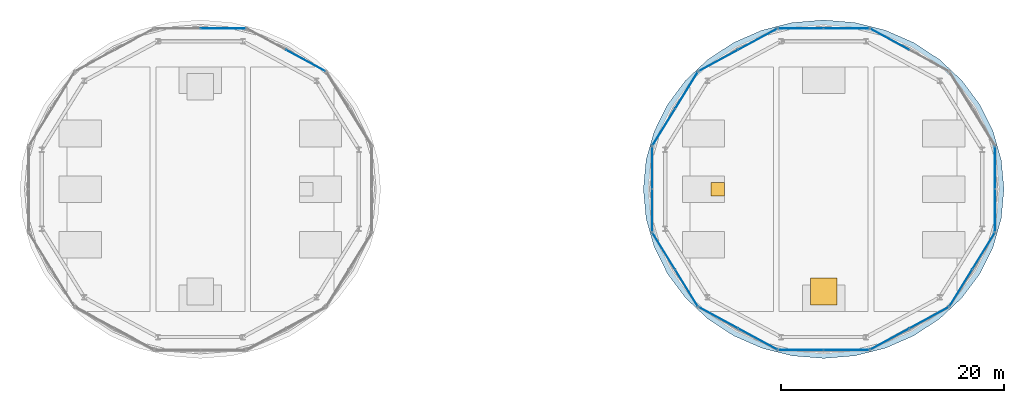
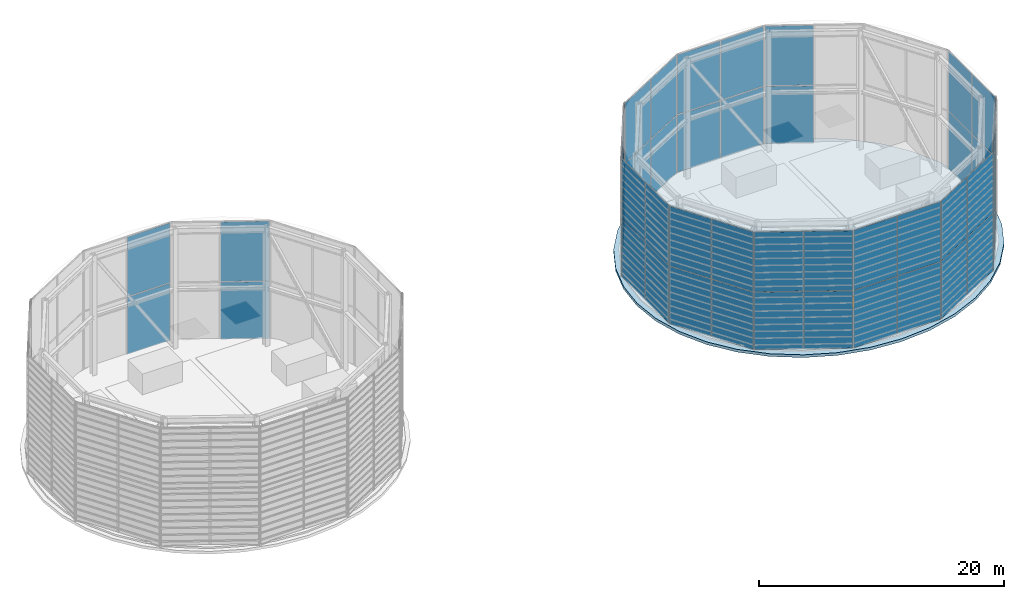
# One storey, part 11 of 17: 46 plates, 2 windows, 1 slab, 2 openings, 13 elements without a shape of their own.
"""IFC4 building model written with IfcOpenShell, lengths in metres."""

from ifc_helpers import new_model, si_unit, direction, frame, origin, origin_2d, place, context, subcontext, project, spatial, polyline, rectangle, outline, extrude, source, transform, mapped, material, layer, layer_set, type_object, type_shapes, element, fill, aggregate, save


model = new_model("IFC4")

# Units and contexts
model_context = context("Model", 3, precision=1e-05, world=origin(), true_north=direction((0.0, 1.0)))
body_context = subcontext(model_context, "Body", "Model", "MODEL_VIEW")
ifc_project = project(units=[si_unit("LENGTHUNIT", "METRE"), si_unit("AREAUNIT", "SQUARE_METRE"), si_unit("VOLUMEUNIT", "CUBIC_METRE"), si_unit("PLANEANGLEUNIT", "RADIAN"), si_unit("MASSUNIT", "GRAM", prefix="KILO")], contexts=[model_context])

# Site, building, storey
site_placement = place(None, origin())
site = spatial("IfcSite", under=ifc_project, at=site_placement, CompositionType="ELEMENT")
building_placement = place(site_placement, origin())
building = spatial("IfcBuilding", under=site, at=building_placement, Name="Norrkilde Senior Care Towers", CompositionType="ELEMENT")
storey_placement = place(building_placement, frame((0.0, 0.0, 249.85009765625)))
storey = spatial("IfcBuildingStorey", under=building, at=storey_placement, Name="RF", CompositionType="ELEMENT", Elevation=249.85009765625)

# Slab, openings, windows
ifc_material_1 = material(Name="Concrete C50/60", Category="concrete")
ifc_layer_1 = layer(ifc_material_1, 0.27490234375)
ifc_layer_set_1 = layer_set([ifc_layer_1], Name="Concrete C50/60")
slab_type = type_object("IfcSlabType", Name="Pavilion Main Roof Slab 275", PredefinedType="ROOF", material=ifc_layer_set_1)
slab_placement = place(storey_placement, frame((0.0, 0.0, -0.275146484375)))
slab = element("IfcSlab", 1, at=slab_placement, inside=storey, type_object=slab_type, Name="RF Drum E Main Roof Slab", PredefinedType="ROOF", context=body_context, shape_type="SweptSolid", body=[
    extrude(outline(polyline([(44.199951171875, 0.0), (43.953857421875, 2.639404296875), (43.222900390625, 5.19873046875), (42.029541015625, 7.60009765625), (40.409912109375, 9.770263671875), (38.4130859375, 11.643798828125), (36.10009765625, 13.16357421875), (33.540771484375, 14.283447265625), (30.81298828125, 14.968994140625), (28.0, 15.199951171875), (25.18701171875, 14.968994140625), (22.459228515625, 14.283447265625), (19.89990234375, 13.16357421875), (17.5869140625, 11.643798828125), (15.590087890625, 9.770263671875), (13.970458984375, 7.60009765625), (12.777099609375, 5.19873046875), (12.046142578125, 2.639404296875), (11.800048828125, 0.0), (12.046142578125, -2.639404296875), (12.777099609375, -5.19873046875), (13.970458984375, -7.60009765625), (15.590087890625, -9.770263671875), (17.5869140625, -11.643798828125), (19.89990234375, -13.16357421875), (22.459228515625, -14.283447265625), (25.18701171875, -14.968994140625), (28.0, -15.199951171875), (30.81298828125, -14.968994140625), (33.540771484375, -14.283447265625), (36.10009765625, -13.16357421875), (38.4130859375, -11.643798828125), (40.409912109375, -9.770263671875), (42.029541015625, -7.60009765625), (43.222900390625, -5.19873046875), (43.953857421875, -2.639404296875), (44.199951171875, 0.0)])), origin(), (0.0, 0.0, 1.0), 0.275146484375),
])
opening_1_placement = place(slab_placement, frame((28.0, -9.199951171875, -0.010009765625)))
opening_1 = element("IfcOpeningElement", 2, at=opening_1_placement, cuts=slab, Name="Opening SK-02", PredefinedType="OPENING", context=body_context, shape_type="SweptSolid", body=[
    extrude(rectangle(XDim=2.39990234375, YDim=2.39990234375, at=origin_2d()), origin(), (0.0, 0.0, 1.0), 0.295166015625),
])
opening_2_placement = place(slab_placement, frame((18.5, 0.0, -0.010009765625)))
opening_2 = element("IfcOpeningElement", 3, at=opening_2_placement, cuts=slab, Name="Opening SK-03", PredefinedType="OPENING", context=body_context, shape_type="SweptSolid", body=[
    extrude(rectangle(XDim=1.199951171875, YDim=1.199951171875, at=origin_2d()), origin(), (0.0, 0.0, 1.0), 0.295166015625),
])
ifc_material_2 = material(Name="Triple Low-E Insulated Glazing", Category="glass")
window_type_1 = type_object("IfcWindowType", Name="Crown Acoustic Daylighting Skylight 2400x2400", PartitioningType="SINGLE_PANEL", PredefinedType="SKYLIGHT", material=ifc_material_2)
window_1_placement = place(slab_placement, frame((28.0, -9.199951171875, 0.22509765625)))
window_1 = element("IfcWindow", 4, at=window_1_placement, inside=storey, type_object=window_type_1, Name="RF Roof Daylighting Skylight 04", OverallHeight=2.39990234375, OverallWidth=2.39990234375, PartitioningType="SINGLE_PANEL", PredefinedType="SKYLIGHT", context=body_context, shape_type="SweptSolid", body=[
    extrude(rectangle(XDim=2.39990234375, YDim=2.39990234375, at=origin_2d()), origin(), (0.0, 0.0, 1.0), 0.050048828125),
])
fill(opening_1, window_1)
window_type_2 = type_object("IfcWindowType", Name="Roof Access Glazed Hatch 1200x1200", PartitioningType="SINGLE_PANEL", PredefinedType="SKYLIGHT", material=ifc_material_2)
window_2_placement = place(slab_placement, frame((18.5, 0.0, 0.22509765625)))
window_2 = element("IfcWindow", 5, at=window_2_placement, inside=storey, type_object=window_type_2, Name="RF Roof Daylighting Skylight 07", OverallHeight=1.199951171875, OverallWidth=1.199951171875, PartitioningType="SINGLE_PANEL", PredefinedType="SKYLIGHT", context=body_context, shape_type="SweptSolid", body=[
    extrude(rectangle(XDim=1.199951171875, YDim=1.199951171875, at=origin_2d()), origin(), (0.0, 0.0, 1.0), 0.050048828125),
])
fill(opening_2, window_2)

# Curtain wall, plates
ifc_layer_2 = layer(ifc_material_2, 0.205078125)
ifc_layer_set_2 = layer_set([ifc_layer_2], Name="Triple Low-E Insulated Glazing")
curtain_wall_type = type_object("IfcCurtainWallType", Name="CW7 L76 Damper Lantern Clear Curtain Wall", PredefinedType="NOTDEFINED", material=ifc_layer_set_2)
curtain_wall_1_placement = place(storey_placement, origin())
curtain_wall_1 = element("IfcCurtainWall", 6, at=curtain_wall_1_placement, inside=storey, type_object=curtain_wall_type, Name="RF Ring Crown E Screen Wall 04", PredefinedType="NOTDEFINED")
ifc_material_3 = material(Name="Architectural Terracotta", Category="masonry")
ifc_layer_3 = layer(ifc_material_3, 0.031982421875)
ifc_layer_set_3 = layer_set([ifc_layer_3], Name="Architectural Terracotta")
plate_type = type_object("IfcPlateType", Name="Crown Louvred Terracotta Screen Panel 32", PredefinedType="CURTAIN_PANEL", material=ifc_layer_set_3)
shared_shape_1 = source(origin(), body_context, "Body", "SweptSolid", [
    extrude(rectangle(XDim=3.845703125, YDim=0.031982421875, at=origin_2d()), origin(), (0.0, 0.0, 1.0), 5.702392578125),
])
plate_1_placement = place(storey_placement, frame((13.63330078125, 5.5576171875, 0.06494140625), z_axis=(0.0, 0.0, 1.0), x_axis=(0.524458342684, 0.85143610846, 0.0)))
plate_1 = element("IfcPlate", 7, at=plate_1_placement, type_object=plate_type, Name="CW-7 panel 1.1", PredefinedType="CURTAIN_PANEL", context=body_context, shape_type="MappedRepresentation", body=[
    mapped(shared_shape_1, transform((0.0, 0.0, 0.0), x_axis=(1.0, 0.0, 0.0), y_axis=(0.0, 1.0, 0.0), z_axis=(0.0, 0.0, 1.0), scale=1.0)),
])
plate_2_placement = place(storey_placement, frame((15.681640625, 8.883056640625, 0.06494140625), z_axis=(0.0, 0.0, 1.0), x_axis=(0.524458342684, 0.85143610846, 0.0)))
plate_2 = element("IfcPlate", 8, at=plate_2_placement, type_object=plate_type, Name="CW-7 panel 2.1", PredefinedType="CURTAIN_PANEL", context=body_context, shape_type="MappedRepresentation", body=[
    mapped(shared_shape_1, transform((0.0, 0.0, 0.0), x_axis=(1.0, 0.0, 0.0), y_axis=(0.0, 1.0, 0.0), z_axis=(0.0, 0.0, 1.0), scale=1.0)),
])

curtain_wall_2_placement = place(storey_placement, origin())
curtain_wall_2 = element("IfcCurtainWall", 9, at=curtain_wall_2_placement, inside=storey, type_object=curtain_wall_type, Name="RF Ring Crown E Screen Wall 06", PredefinedType="NOTDEFINED")
plate_3_placement = place(storey_placement, frame((15.681640625, -8.883056640625, 0.06494140625), z_axis=(0.0, 0.0, 1.0), x_axis=(-0.524458342684, 0.85143610846, 0.0)))
plate_3 = element("IfcPlate", 10, at=plate_3_placement, type_object=plate_type, Name="CW-7 panel 1.1", PredefinedType="CURTAIN_PANEL", context=body_context, shape_type="MappedRepresentation", body=[
    mapped(shared_shape_1, transform((0.0, 0.0, 0.0), x_axis=(1.0, 0.0, 0.0), y_axis=(0.0, 1.0, 0.0), z_axis=(0.0, 0.0, 1.0), scale=1.0)),
])
plate_4_placement = place(storey_placement, frame((13.63330078125, -5.5576171875, 0.06494140625), z_axis=(0.0, 0.0, 1.0), x_axis=(-0.524458342684, 0.85143610846, 0.0)))
plate_4 = element("IfcPlate", 11, at=plate_4_placement, type_object=plate_type, Name="CW-7 panel 2.1", PredefinedType="CURTAIN_PANEL", context=body_context, shape_type="MappedRepresentation", body=[
    mapped(shared_shape_1, transform((0.0, 0.0, 0.0), x_axis=(1.0, 0.0, 0.0), y_axis=(0.0, 1.0, 0.0), z_axis=(0.0, 0.0, 1.0), scale=1.0)),
])

curtain_wall_3_placement = place(storey_placement, origin())
curtain_wall_3 = element("IfcCurtainWall", 12, at=curtain_wall_3_placement, inside=storey, type_object=curtain_wall_type, Name="RF Ring Crown E Screen Wall 10", PredefinedType="NOTDEFINED")
plate_5_placement = place(storey_placement, frame((42.36669921875, -5.5576171875, 0.06494140625), z_axis=(0.0, 0.0, 1.0), x_axis=(-0.524458342684, -0.85143610846, 0.0)))
plate_5 = element("IfcPlate", 13, at=plate_5_placement, type_object=plate_type, Name="CW-7 panel 1.1", PredefinedType="CURTAIN_PANEL", context=body_context, shape_type="MappedRepresentation", body=[
    mapped(shared_shape_1, transform((0.0, 0.0, 0.0), x_axis=(1.0, 0.0, 0.0), y_axis=(0.0, 1.0, 0.0), z_axis=(0.0, 0.0, 1.0), scale=1.0)),
])
plate_6_placement = place(storey_placement, frame((40.318359375, -8.883056640625, 0.06494140625), z_axis=(0.0, 0.0, 1.0), x_axis=(-0.524458342684, -0.85143610846, 0.0)))
plate_6 = element("IfcPlate", 14, at=plate_6_placement, type_object=plate_type, Name="CW-7 panel 2.1", PredefinedType="CURTAIN_PANEL", context=body_context, shape_type="MappedRepresentation", body=[
    mapped(shared_shape_1, transform((0.0, 0.0, 0.0), x_axis=(1.0, 0.0, 0.0), y_axis=(0.0, 1.0, 0.0), z_axis=(0.0, 0.0, 1.0), scale=1.0)),
])

# Plate
shared_shape_2 = source(origin(), body_context, "Body", "SweptSolid", [
    extrude(rectangle(XDim=3.845703125, YDim=0.031982421875, at=origin_2d()), origin(), (0.0, 0.0, 1.0), 5.952392578125),
])
plate_7_placement = place(storey_placement, frame((13.63330078125, 5.5576171875, 5.83251953125), z_axis=(0.0, 0.0, 1.0), x_axis=(0.524458342684, 0.85143610846, 0.0)))
plate_7 = element("IfcPlate", 15, at=plate_7_placement, type_object=plate_type, Name="CW-7 panel 1.2", PredefinedType="CURTAIN_PANEL", context=body_context, shape_type="MappedRepresentation", body=[
    mapped(shared_shape_2, transform((0.0, 0.0, 0.0), x_axis=(1.0, 0.0, 0.0), y_axis=(0.0, 1.0, 0.0), z_axis=(0.0, 0.0, 1.0), scale=1.0)),
])

plate_8_placement = place(storey_placement, frame((15.681640625, 8.883056640625, 5.83251953125), z_axis=(0.0, 0.0, 1.0), x_axis=(0.524458342684, 0.85143610846, 0.0)))
plate_8 = element("IfcPlate", 16, at=plate_8_placement, type_object=plate_type, Name="CW-7 panel 2.2", PredefinedType="CURTAIN_PANEL", context=body_context, shape_type="MappedRepresentation", body=[
    mapped(shared_shape_2, transform((0.0, 0.0, 0.0), x_axis=(1.0, 0.0, 0.0), y_axis=(0.0, 1.0, 0.0), z_axis=(0.0, 0.0, 1.0), scale=1.0)),
])

aggregate(curtain_wall_1, [plate_1, plate_7, plate_2, plate_8])

plate_9_placement = place(storey_placement, frame((15.681640625, -8.883056640625, 5.83251953125), z_axis=(0.0, 0.0, 1.0), x_axis=(-0.524458342684, 0.85143610846, 0.0)))
plate_9 = element("IfcPlate", 17, at=plate_9_placement, type_object=plate_type, Name="CW-7 panel 1.2", PredefinedType="CURTAIN_PANEL", context=body_context, shape_type="MappedRepresentation", body=[
    mapped(shared_shape_2, transform((0.0, 0.0, 0.0), x_axis=(1.0, 0.0, 0.0), y_axis=(0.0, 1.0, 0.0), z_axis=(0.0, 0.0, 1.0), scale=1.0)),
])

plate_10_placement = place(storey_placement, frame((13.63330078125, -5.5576171875, 5.83251953125), z_axis=(0.0, 0.0, 1.0), x_axis=(-0.524458342684, 0.85143610846, 0.0)))
plate_10 = element("IfcPlate", 18, at=plate_10_placement, type_object=plate_type, Name="CW-7 panel 2.2", PredefinedType="CURTAIN_PANEL", context=body_context, shape_type="MappedRepresentation", body=[
    mapped(shared_shape_2, transform((0.0, 0.0, 0.0), x_axis=(1.0, 0.0, 0.0), y_axis=(0.0, 1.0, 0.0), z_axis=(0.0, 0.0, 1.0), scale=1.0)),
])

aggregate(curtain_wall_2, [plate_3, plate_9, plate_4, plate_10])

plate_11_placement = place(storey_placement, frame((42.36669921875, -5.5576171875, 5.83251953125), z_axis=(0.0, 0.0, 1.0), x_axis=(-0.524458342684, -0.85143610846, 0.0)))
plate_11 = element("IfcPlate", 19, at=plate_11_placement, type_object=plate_type, Name="CW-7 panel 1.2", PredefinedType="CURTAIN_PANEL", context=body_context, shape_type="MappedRepresentation", body=[
    mapped(shared_shape_2, transform((0.0, 0.0, 0.0), x_axis=(1.0, 0.0, 0.0), y_axis=(0.0, 1.0, 0.0), z_axis=(0.0, 0.0, 1.0), scale=1.0)),
])

plate_12_placement = place(storey_placement, frame((40.318359375, -8.883056640625, 5.83251953125), z_axis=(0.0, 0.0, 1.0), x_axis=(-0.524458342684, -0.85143610846, 0.0)))
plate_12 = element("IfcPlate", 20, at=plate_12_placement, type_object=plate_type, Name="CW-7 panel 2.2", PredefinedType="CURTAIN_PANEL", context=body_context, shape_type="MappedRepresentation", body=[
    mapped(shared_shape_2, transform((0.0, 0.0, 0.0), x_axis=(1.0, 0.0, 0.0), y_axis=(0.0, 1.0, 0.0), z_axis=(0.0, 0.0, 1.0), scale=1.0)),
])

aggregate(curtain_wall_3, [plate_5, plate_11, plate_6, plate_12])

# Curtain wall, plate
curtain_wall_4_placement = place(storey_placement, origin())
curtain_wall_4 = element("IfcCurtainWall", 21, at=curtain_wall_4_placement, inside=storey, type_object=curtain_wall_type, Name="RF Ring Crown W Screen Wall 01", PredefinedType="NOTDEFINED")
shared_shape_3 = source(origin(), body_context, "Body", "SweptSolid", [
    extrude(rectangle(XDim=3.97509765625, YDim=0.031982421875, at=origin_2d()), origin(), (0.0, 0.0, 1.0), 5.702392578125),
])
plate_13_placement = place(storey_placement, frame((-18.5224609375, 11.545654296875, 0.06494140625), z_axis=(0.0, 0.0, 1.0), x_axis=(0.879481153886, -0.475933713829, 0.0)))
plate_13 = element("IfcPlate", 22, at=plate_13_placement, type_object=plate_type, Name="CW-7 panel 2.1", PredefinedType="CURTAIN_PANEL", context=body_context, shape_type="MappedRepresentation", body=[
    mapped(shared_shape_3, transform((0.0, 0.0, 0.0), x_axis=(1.0, 0.0, 0.0), y_axis=(0.0, 1.0, 0.0), z_axis=(0.0, 0.0, 1.0), scale=1.0)),
])

curtain_wall_5_placement = place(storey_placement, origin())
curtain_wall_5 = element("IfcCurtainWall", 23, at=curtain_wall_5_placement, inside=storey, type_object=curtain_wall_type, Name="RF Ring Crown E Screen Wall 01", PredefinedType="NOTDEFINED")
plate_14_placement = place(storey_placement, frame((33.928955078125, 13.466064453125, 0.06494140625), z_axis=(0.0, 0.0, 1.0), x_axis=(0.879481153886, -0.475933713829, 0.0)))
plate_14 = element("IfcPlate", 24, at=plate_14_placement, type_object=plate_type, Name="CW-7 panel 1.1", PredefinedType="CURTAIN_PANEL", context=body_context, shape_type="MappedRepresentation", body=[
    mapped(shared_shape_3, transform((0.0, 0.0, 0.0), x_axis=(1.0, 0.0, 0.0), y_axis=(0.0, 1.0, 0.0), z_axis=(0.0, 0.0, 1.0), scale=1.0)),
])

# Curtain wall, plates
curtain_wall_6_placement = place(storey_placement, origin())
curtain_wall_6 = element("IfcCurtainWall", 25, at=curtain_wall_6_placement, inside=storey, type_object=curtain_wall_type, Name="RF Ring Crown E Screen Wall 03", PredefinedType="NOTDEFINED")
plate_15_placement = place(storey_placement, frame((18.5224609375, 11.545654296875, 0.06494140625), z_axis=(0.0, 0.0, 1.0), x_axis=(0.879481153886, 0.475933713829, 0.0)))
plate_15 = element("IfcPlate", 26, at=plate_15_placement, type_object=plate_type, Name="CW-7 panel 1.1", PredefinedType="CURTAIN_PANEL", context=body_context, shape_type="MappedRepresentation", body=[
    mapped(shared_shape_3, transform((0.0, 0.0, 0.0), x_axis=(1.0, 0.0, 0.0), y_axis=(0.0, 1.0, 0.0), z_axis=(0.0, 0.0, 1.0), scale=1.0)),
])
plate_16_placement = place(storey_placement, frame((22.071044921875, 13.466064453125, 0.06494140625), z_axis=(0.0, 0.0, 1.0), x_axis=(0.879481153886, 0.475933713829, 0.0)))
plate_16 = element("IfcPlate", 27, at=plate_16_placement, type_object=plate_type, Name="CW-7 panel 2.1", PredefinedType="CURTAIN_PANEL", context=body_context, shape_type="MappedRepresentation", body=[
    mapped(shared_shape_3, transform((0.0, 0.0, 0.0), x_axis=(1.0, 0.0, 0.0), y_axis=(0.0, 1.0, 0.0), z_axis=(0.0, 0.0, 1.0), scale=1.0)),
])

curtain_wall_7_placement = place(storey_placement, origin())
curtain_wall_7 = element("IfcCurtainWall", 28, at=curtain_wall_7_placement, inside=storey, type_object=curtain_wall_type, Name="RF Ring Crown E Screen Wall 07", PredefinedType="NOTDEFINED")
plate_17_placement = place(storey_placement, frame((22.071044921875, -13.466064453125, 0.06494140625), z_axis=(0.0, 0.0, 1.0), x_axis=(-0.879481153886, 0.475933713829, 0.0)))
plate_17 = element("IfcPlate", 29, at=plate_17_placement, type_object=plate_type, Name="CW-7 panel 1.1", PredefinedType="CURTAIN_PANEL", context=body_context, shape_type="MappedRepresentation", body=[
    mapped(shared_shape_3, transform((0.0, 0.0, 0.0), x_axis=(1.0, 0.0, 0.0), y_axis=(0.0, 1.0, 0.0), z_axis=(0.0, 0.0, 1.0), scale=1.0)),
])
plate_18_placement = place(storey_placement, frame((18.5224609375, -11.545654296875, 0.06494140625), z_axis=(0.0, 0.0, 1.0), x_axis=(-0.879481153886, 0.475933713829, 0.0)))
plate_18 = element("IfcPlate", 30, at=plate_18_placement, type_object=plate_type, Name="CW-7 panel 2.1", PredefinedType="CURTAIN_PANEL", context=body_context, shape_type="MappedRepresentation", body=[
    mapped(shared_shape_3, transform((0.0, 0.0, 0.0), x_axis=(1.0, 0.0, 0.0), y_axis=(0.0, 1.0, 0.0), z_axis=(0.0, 0.0, 1.0), scale=1.0)),
])

curtain_wall_8_placement = place(storey_placement, origin())
curtain_wall_8 = element("IfcCurtainWall", 31, at=curtain_wall_8_placement, inside=storey, type_object=curtain_wall_type, Name="RF Ring Crown E Screen Wall 09", PredefinedType="NOTDEFINED")
plate_19_placement = place(storey_placement, frame((37.4775390625, -11.545654296875, 0.06494140625), z_axis=(0.0, 0.0, 1.0), x_axis=(-0.879481153886, -0.475933713829, 0.0)))
plate_19 = element("IfcPlate", 32, at=plate_19_placement, type_object=plate_type, Name="CW-7 panel 1.1", PredefinedType="CURTAIN_PANEL", context=body_context, shape_type="MappedRepresentation", body=[
    mapped(shared_shape_3, transform((0.0, 0.0, 0.0), x_axis=(1.0, 0.0, 0.0), y_axis=(0.0, 1.0, 0.0), z_axis=(0.0, 0.0, 1.0), scale=1.0)),
])
plate_20_placement = place(storey_placement, frame((33.928955078125, -13.466064453125, 0.06494140625), z_axis=(0.0, 0.0, 1.0), x_axis=(-0.879481153886, -0.475933713829, 0.0)))
plate_20 = element("IfcPlate", 33, at=plate_20_placement, type_object=plate_type, Name="CW-7 panel 2.1", PredefinedType="CURTAIN_PANEL", context=body_context, shape_type="MappedRepresentation", body=[
    mapped(shared_shape_3, transform((0.0, 0.0, 0.0), x_axis=(1.0, 0.0, 0.0), y_axis=(0.0, 1.0, 0.0), z_axis=(0.0, 0.0, 1.0), scale=1.0)),
])

# Plate
shared_shape_4 = source(origin(), body_context, "Body", "SweptSolid", [
    extrude(rectangle(XDim=3.97509765625, YDim=0.031982421875, at=origin_2d()), origin(), (0.0, 0.0, 1.0), 5.952392578125),
])
plate_21_placement = place(storey_placement, frame((-18.5224609375, 11.545654296875, 5.83251953125), z_axis=(0.0, 0.0, 1.0), x_axis=(0.879481153886, -0.475933713829, 0.0)))
plate_21 = element("IfcPlate", 34, at=plate_21_placement, type_object=plate_type, Name="CW-7 panel 2.2", PredefinedType="CURTAIN_PANEL", context=body_context, shape_type="MappedRepresentation", body=[
    mapped(shared_shape_4, transform((0.0, 0.0, 0.0), x_axis=(1.0, 0.0, 0.0), y_axis=(0.0, 1.0, 0.0), z_axis=(0.0, 0.0, 1.0), scale=1.0)),
])

aggregate(curtain_wall_4, [plate_13, plate_21])

plate_22_placement = place(storey_placement, frame((33.928955078125, 13.466064453125, 5.83251953125), z_axis=(0.0, 0.0, 1.0), x_axis=(0.879481153886, -0.475933713829, 0.0)))
plate_22 = element("IfcPlate", 35, at=plate_22_placement, type_object=plate_type, Name="CW-7 panel 1.2", PredefinedType="CURTAIN_PANEL", context=body_context, shape_type="MappedRepresentation", body=[
    mapped(shared_shape_4, transform((0.0, 0.0, 0.0), x_axis=(1.0, 0.0, 0.0), y_axis=(0.0, 1.0, 0.0), z_axis=(0.0, 0.0, 1.0), scale=1.0)),
])

aggregate(curtain_wall_5, [plate_14, plate_22])

plate_23_placement = place(storey_placement, frame((18.5224609375, 11.545654296875, 5.83251953125), z_axis=(0.0, 0.0, 1.0), x_axis=(0.879481153886, 0.475933713829, 0.0)))
plate_23 = element("IfcPlate", 36, at=plate_23_placement, type_object=plate_type, Name="CW-7 panel 1.2", PredefinedType="CURTAIN_PANEL", context=body_context, shape_type="MappedRepresentation", body=[
    mapped(shared_shape_4, transform((0.0, 0.0, 0.0), x_axis=(1.0, 0.0, 0.0), y_axis=(0.0, 1.0, 0.0), z_axis=(0.0, 0.0, 1.0), scale=1.0)),
])

plate_24_placement = place(storey_placement, frame((22.071044921875, 13.466064453125, 5.83251953125), z_axis=(0.0, 0.0, 1.0), x_axis=(0.879481153886, 0.475933713829, 0.0)))
plate_24 = element("IfcPlate", 37, at=plate_24_placement, type_object=plate_type, Name="CW-7 panel 2.2", PredefinedType="CURTAIN_PANEL", context=body_context, shape_type="MappedRepresentation", body=[
    mapped(shared_shape_4, transform((0.0, 0.0, 0.0), x_axis=(1.0, 0.0, 0.0), y_axis=(0.0, 1.0, 0.0), z_axis=(0.0, 0.0, 1.0), scale=1.0)),
])

aggregate(curtain_wall_6, [plate_15, plate_23, plate_16, plate_24])

plate_25_placement = place(storey_placement, frame((22.071044921875, -13.466064453125, 5.83251953125), z_axis=(0.0, 0.0, 1.0), x_axis=(-0.879481153886, 0.475933713829, 0.0)))
plate_25 = element("IfcPlate", 38, at=plate_25_placement, type_object=plate_type, Name="CW-7 panel 1.2", PredefinedType="CURTAIN_PANEL", context=body_context, shape_type="MappedRepresentation", body=[
    mapped(shared_shape_4, transform((0.0, 0.0, 0.0), x_axis=(1.0, 0.0, 0.0), y_axis=(0.0, 1.0, 0.0), z_axis=(0.0, 0.0, 1.0), scale=1.0)),
])

plate_26_placement = place(storey_placement, frame((18.5224609375, -11.545654296875, 5.83251953125), z_axis=(0.0, 0.0, 1.0), x_axis=(-0.879481153886, 0.475933713829, 0.0)))
plate_26 = element("IfcPlate", 39, at=plate_26_placement, type_object=plate_type, Name="CW-7 panel 2.2", PredefinedType="CURTAIN_PANEL", context=body_context, shape_type="MappedRepresentation", body=[
    mapped(shared_shape_4, transform((0.0, 0.0, 0.0), x_axis=(1.0, 0.0, 0.0), y_axis=(0.0, 1.0, 0.0), z_axis=(0.0, 0.0, 1.0), scale=1.0)),
])

aggregate(curtain_wall_7, [plate_17, plate_25, plate_18, plate_26])

plate_27_placement = place(storey_placement, frame((37.4775390625, -11.545654296875, 5.83251953125), z_axis=(0.0, 0.0, 1.0), x_axis=(-0.879481153886, -0.475933713829, 0.0)))
plate_27 = element("IfcPlate", 40, at=plate_27_placement, type_object=plate_type, Name="CW-7 panel 1.2", PredefinedType="CURTAIN_PANEL", context=body_context, shape_type="MappedRepresentation", body=[
    mapped(shared_shape_4, transform((0.0, 0.0, 0.0), x_axis=(1.0, 0.0, 0.0), y_axis=(0.0, 1.0, 0.0), z_axis=(0.0, 0.0, 1.0), scale=1.0)),
])

plate_28_placement = place(storey_placement, frame((33.928955078125, -13.466064453125, 5.83251953125), z_axis=(0.0, 0.0, 1.0), x_axis=(-0.879481153886, -0.475933713829, 0.0)))
plate_28 = element("IfcPlate", 41, at=plate_28_placement, type_object=plate_type, Name="CW-7 panel 2.2", PredefinedType="CURTAIN_PANEL", context=body_context, shape_type="MappedRepresentation", body=[
    mapped(shared_shape_4, transform((0.0, 0.0, 0.0), x_axis=(1.0, 0.0, 0.0), y_axis=(0.0, 1.0, 0.0), z_axis=(0.0, 0.0, 1.0), scale=1.0)),
])

aggregate(curtain_wall_8, [plate_19, plate_27, plate_20, plate_28])

# Curtain wall, plate
curtain_wall_9_placement = place(storey_placement, origin())
curtain_wall_9 = element("IfcCurtainWall", 42, at=curtain_wall_9_placement, inside=storey, type_object=curtain_wall_type, Name="RF Ring Crown W Screen Wall 02", PredefinedType="NOTDEFINED")
shared_shape_5 = source(origin(), body_context, "Body", "SweptSolid", [
    extrude(rectangle(XDim=4.0380859375, YDim=0.031982421875, at=origin_2d()), origin(), (0.0, 0.0, 1.0), 5.702392578125),
])
plate_29_placement = place(storey_placement, frame((-25.950927734375, 14.440673828125, 0.06494140625), z_axis=(0.0, 0.0, 1.0), x_axis=(1.0, 0.0, 0.0)))
plate_29 = element("IfcPlate", 43, at=plate_29_placement, type_object=plate_type, Name="CW-7 panel 2.1", PredefinedType="CURTAIN_PANEL", context=body_context, shape_type="MappedRepresentation", body=[
    mapped(shared_shape_5, transform((0.0, 0.0, 0.0), x_axis=(1.0, 0.0, 0.0), y_axis=(0.0, 1.0, 0.0), z_axis=(0.0, 0.0, 1.0), scale=1.0)),
])

# Curtain wall, plates
curtain_wall_10_placement = place(storey_placement, origin())
curtain_wall_10 = element("IfcCurtainWall", 44, at=curtain_wall_10_placement, inside=storey, type_object=curtain_wall_type, Name="RF Ring Crown E Screen Wall 02", PredefinedType="NOTDEFINED")
plate_30_placement = place(storey_placement, frame((25.950927734375, 14.440673828125, 0.06494140625), z_axis=(0.0, 0.0, 1.0), x_axis=(1.0, 0.0, 0.0)))
plate_30 = element("IfcPlate", 45, at=plate_30_placement, type_object=plate_type, Name="CW-7 panel 1.1", PredefinedType="CURTAIN_PANEL", context=body_context, shape_type="MappedRepresentation", body=[
    mapped(shared_shape_5, transform((0.0, 0.0, 0.0), x_axis=(1.0, 0.0, 0.0), y_axis=(0.0, 1.0, 0.0), z_axis=(0.0, 0.0, 1.0), scale=1.0)),
])
plate_31_placement = place(storey_placement, frame((30.049072265625, 14.440673828125, 0.06494140625), z_axis=(0.0, 0.0, 1.0), x_axis=(1.0, 0.0, 0.0)))
plate_31 = element("IfcPlate", 46, at=plate_31_placement, type_object=plate_type, Name="CW-7 panel 2.1", PredefinedType="CURTAIN_PANEL", context=body_context, shape_type="MappedRepresentation", body=[
    mapped(shared_shape_5, transform((0.0, 0.0, 0.0), x_axis=(1.0, 0.0, 0.0), y_axis=(0.0, 1.0, 0.0), z_axis=(0.0, 0.0, 1.0), scale=1.0)),
])

curtain_wall_11_placement = place(storey_placement, origin())
curtain_wall_11 = element("IfcCurtainWall", 47, at=curtain_wall_11_placement, inside=storey, type_object=curtain_wall_type, Name="RF Ring Crown E Screen Wall 08", PredefinedType="NOTDEFINED")
plate_32_placement = place(storey_placement, frame((30.049072265625, -14.440673828125, 0.06494140625), z_axis=(0.0, 0.0, 1.0), x_axis=(-1.0, 0.0, 0.0)))
plate_32 = element("IfcPlate", 48, at=plate_32_placement, type_object=plate_type, Name="CW-7 panel 1.1", PredefinedType="CURTAIN_PANEL", context=body_context, shape_type="MappedRepresentation", body=[
    mapped(shared_shape_5, transform((0.0, 0.0, 0.0), x_axis=(1.0, 0.0, 0.0), y_axis=(0.0, 1.0, 0.0), z_axis=(0.0, 0.0, 1.0), scale=1.0)),
])
plate_33_placement = place(storey_placement, frame((25.950927734375, -14.440673828125, 0.06494140625), z_axis=(0.0, 0.0, 1.0), x_axis=(-1.0, 0.0, 0.0)))
plate_33 = element("IfcPlate", 49, at=plate_33_placement, type_object=plate_type, Name="CW-7 panel 2.1", PredefinedType="CURTAIN_PANEL", context=body_context, shape_type="MappedRepresentation", body=[
    mapped(shared_shape_5, transform((0.0, 0.0, 0.0), x_axis=(1.0, 0.0, 0.0), y_axis=(0.0, 1.0, 0.0), z_axis=(0.0, 0.0, 1.0), scale=1.0)),
])

# Plate
shared_shape_6 = source(origin(), body_context, "Body", "SweptSolid", [
    extrude(rectangle(XDim=4.0380859375, YDim=0.031982421875, at=origin_2d()), origin(), (0.0, 0.0, 1.0), 5.952392578125),
])
plate_34_placement = place(storey_placement, frame((-25.950927734375, 14.440673828125, 5.83251953125), z_axis=(0.0, 0.0, 1.0), x_axis=(1.0, 0.0, 0.0)))
plate_34 = element("IfcPlate", 50, at=plate_34_placement, type_object=plate_type, Name="CW-7 panel 2.2", PredefinedType="CURTAIN_PANEL", context=body_context, shape_type="MappedRepresentation", body=[
    mapped(shared_shape_6, transform((0.0, 0.0, 0.0), x_axis=(1.0, 0.0, 0.0), y_axis=(0.0, 1.0, 0.0), z_axis=(0.0, 0.0, 1.0), scale=1.0)),
])

aggregate(curtain_wall_9, [plate_29, plate_34])

plate_35_placement = place(storey_placement, frame((25.950927734375, 14.440673828125, 5.83251953125), z_axis=(0.0, 0.0, 1.0), x_axis=(1.0, 0.0, 0.0)))
plate_35 = element("IfcPlate", 51, at=plate_35_placement, type_object=plate_type, Name="CW-7 panel 1.2", PredefinedType="CURTAIN_PANEL", context=body_context, shape_type="MappedRepresentation", body=[
    mapped(shared_shape_6, transform((0.0, 0.0, 0.0), x_axis=(1.0, 0.0, 0.0), y_axis=(0.0, 1.0, 0.0), z_axis=(0.0, 0.0, 1.0), scale=1.0)),
])

plate_36_placement = place(storey_placement, frame((30.049072265625, 14.440673828125, 5.83251953125), z_axis=(0.0, 0.0, 1.0), x_axis=(1.0, 0.0, 0.0)))
plate_36 = element("IfcPlate", 52, at=plate_36_placement, type_object=plate_type, Name="CW-7 panel 2.2", PredefinedType="CURTAIN_PANEL", context=body_context, shape_type="MappedRepresentation", body=[
    mapped(shared_shape_6, transform((0.0, 0.0, 0.0), x_axis=(1.0, 0.0, 0.0), y_axis=(0.0, 1.0, 0.0), z_axis=(0.0, 0.0, 1.0), scale=1.0)),
])

aggregate(curtain_wall_10, [plate_30, plate_35, plate_31, plate_36])

plate_37_placement = place(storey_placement, frame((30.049072265625, -14.440673828125, 5.83251953125), z_axis=(0.0, 0.0, 1.0), x_axis=(-1.0, 0.0, 0.0)))
plate_37 = element("IfcPlate", 53, at=plate_37_placement, type_object=plate_type, Name="CW-7 panel 1.2", PredefinedType="CURTAIN_PANEL", context=body_context, shape_type="MappedRepresentation", body=[
    mapped(shared_shape_6, transform((0.0, 0.0, 0.0), x_axis=(1.0, 0.0, 0.0), y_axis=(0.0, 1.0, 0.0), z_axis=(0.0, 0.0, 1.0), scale=1.0)),
])

plate_38_placement = place(storey_placement, frame((25.950927734375, -14.440673828125, 5.83251953125), z_axis=(0.0, 0.0, 1.0), x_axis=(-1.0, 0.0, 0.0)))
plate_38 = element("IfcPlate", 54, at=plate_38_placement, type_object=plate_type, Name="CW-7 panel 2.2", PredefinedType="CURTAIN_PANEL", context=body_context, shape_type="MappedRepresentation", body=[
    mapped(shared_shape_6, transform((0.0, 0.0, 0.0), x_axis=(1.0, 0.0, 0.0), y_axis=(0.0, 1.0, 0.0), z_axis=(0.0, 0.0, 1.0), scale=1.0)),
])

aggregate(curtain_wall_11, [plate_32, plate_37, plate_33, plate_38])

# Curtain wall, plates
curtain_wall_12_placement = place(storey_placement, origin())
curtain_wall_12 = element("IfcCurtainWall", 55, at=curtain_wall_12_placement, inside=storey, type_object=curtain_wall_type, Name="RF Ring Crown E Screen Wall 05", PredefinedType="NOTDEFINED")
shared_shape_7 = source(origin(), body_context, "Body", "SweptSolid", [
    extrude(rectangle(XDim=3.779296875, YDim=0.031982421875, at=origin_2d()), origin(), (0.0, 0.0, 1.0), 5.702392578125),
])
plate_39_placement = place(storey_placement, frame((12.593505859375, -1.919677734375, 0.06494140625), z_axis=(0.0, 0.0, 1.0), x_axis=(0.0, 1.0, 0.0)))
plate_39 = element("IfcPlate", 56, at=plate_39_placement, type_object=plate_type, Name="CW-7 panel 1.1", PredefinedType="CURTAIN_PANEL", context=body_context, shape_type="MappedRepresentation", body=[
    mapped(shared_shape_7, transform((0.0, 0.0, 0.0), x_axis=(1.0, 0.0, 0.0), y_axis=(0.0, 1.0, 0.0), z_axis=(0.0, 0.0, 1.0), scale=1.0)),
])
plate_40_placement = place(storey_placement, frame((12.593505859375, 1.919677734375, 0.06494140625), z_axis=(0.0, 0.0, 1.0), x_axis=(0.0, 1.0, 0.0)))
plate_40 = element("IfcPlate", 57, at=plate_40_placement, type_object=plate_type, Name="CW-7 panel 2.1", PredefinedType="CURTAIN_PANEL", context=body_context, shape_type="MappedRepresentation", body=[
    mapped(shared_shape_7, transform((0.0, 0.0, 0.0), x_axis=(1.0, 0.0, 0.0), y_axis=(0.0, 1.0, 0.0), z_axis=(0.0, 0.0, 1.0), scale=1.0)),
])

curtain_wall_13_placement = place(storey_placement, origin())
curtain_wall_13 = element("IfcCurtainWall", 58, at=curtain_wall_13_placement, inside=storey, type_object=curtain_wall_type, Name="RF Ring Crown E Screen Wall 11", PredefinedType="NOTDEFINED")
plate_41_placement = place(storey_placement, frame((43.406494140625, 1.919677734375, 0.06494140625), z_axis=(0.0, 0.0, 1.0), x_axis=(0.0, -1.0, 0.0)))
plate_41 = element("IfcPlate", 59, at=plate_41_placement, type_object=plate_type, Name="CW-7 panel 1.1", PredefinedType="CURTAIN_PANEL", context=body_context, shape_type="MappedRepresentation", body=[
    mapped(shared_shape_7, transform((0.0, 0.0, 0.0), x_axis=(1.0, 0.0, 0.0), y_axis=(0.0, 1.0, 0.0), z_axis=(0.0, 0.0, 1.0), scale=1.0)),
])
plate_42_placement = place(storey_placement, frame((43.406494140625, -1.919677734375, 0.06494140625), z_axis=(0.0, 0.0, 1.0), x_axis=(0.0, -1.0, 0.0)))
plate_42 = element("IfcPlate", 60, at=plate_42_placement, type_object=plate_type, Name="CW-7 panel 2.1", PredefinedType="CURTAIN_PANEL", context=body_context, shape_type="MappedRepresentation", body=[
    mapped(shared_shape_7, transform((0.0, 0.0, 0.0), x_axis=(1.0, 0.0, 0.0), y_axis=(0.0, 1.0, 0.0), z_axis=(0.0, 0.0, 1.0), scale=1.0)),
])

# Plate
shared_shape_8 = source(origin(), body_context, "Body", "SweptSolid", [
    extrude(rectangle(XDim=3.779296875, YDim=0.031982421875, at=origin_2d()), origin(), (0.0, 0.0, 1.0), 5.952392578125),
])
type_shapes(plate_type, [shared_shape_1, shared_shape_2, shared_shape_3, shared_shape_4, shared_shape_5, shared_shape_6, shared_shape_7, shared_shape_8])
plate_43_placement = place(storey_placement, frame((12.593505859375, -1.919677734375, 5.83251953125), z_axis=(0.0, 0.0, 1.0), x_axis=(0.0, 1.0, 0.0)))
plate_43 = element("IfcPlate", 61, at=plate_43_placement, type_object=plate_type, Name="CW-7 panel 1.2", PredefinedType="CURTAIN_PANEL", context=body_context, shape_type="MappedRepresentation", body=[
    mapped(shared_shape_8, transform((0.0, 0.0, 0.0), x_axis=(1.0, 0.0, 0.0), y_axis=(0.0, 1.0, 0.0), z_axis=(0.0, 0.0, 1.0), scale=1.0)),
])

plate_44_placement = place(storey_placement, frame((12.593505859375, 1.919677734375, 5.83251953125), z_axis=(0.0, 0.0, 1.0), x_axis=(0.0, 1.0, 0.0)))
plate_44 = element("IfcPlate", 62, at=plate_44_placement, type_object=plate_type, Name="CW-7 panel 2.2", PredefinedType="CURTAIN_PANEL", context=body_context, shape_type="MappedRepresentation", body=[
    mapped(shared_shape_8, transform((0.0, 0.0, 0.0), x_axis=(1.0, 0.0, 0.0), y_axis=(0.0, 1.0, 0.0), z_axis=(0.0, 0.0, 1.0), scale=1.0)),
])

aggregate(curtain_wall_12, [plate_39, plate_43, plate_40, plate_44])

plate_45_placement = place(storey_placement, frame((43.406494140625, 1.919677734375, 5.83251953125), z_axis=(0.0, 0.0, 1.0), x_axis=(0.0, -1.0, 0.0)))
plate_45 = element("IfcPlate", 63, at=plate_45_placement, type_object=plate_type, Name="CW-7 panel 1.2", PredefinedType="CURTAIN_PANEL", context=body_context, shape_type="MappedRepresentation", body=[
    mapped(shared_shape_8, transform((0.0, 0.0, 0.0), x_axis=(1.0, 0.0, 0.0), y_axis=(0.0, 1.0, 0.0), z_axis=(0.0, 0.0, 1.0), scale=1.0)),
])

plate_46_placement = place(storey_placement, frame((43.406494140625, -1.919677734375, 5.83251953125), z_axis=(0.0, 0.0, 1.0), x_axis=(0.0, -1.0, 0.0)))
plate_46 = element("IfcPlate", 64, at=plate_46_placement, type_object=plate_type, Name="CW-7 panel 2.2", PredefinedType="CURTAIN_PANEL", context=body_context, shape_type="MappedRepresentation", body=[
    mapped(shared_shape_8, transform((0.0, 0.0, 0.0), x_axis=(1.0, 0.0, 0.0), y_axis=(0.0, 1.0, 0.0), z_axis=(0.0, 0.0, 1.0), scale=1.0)),
])

aggregate(curtain_wall_13, [plate_41, plate_45, plate_42, plate_46])

save(model, "model.ifc")
